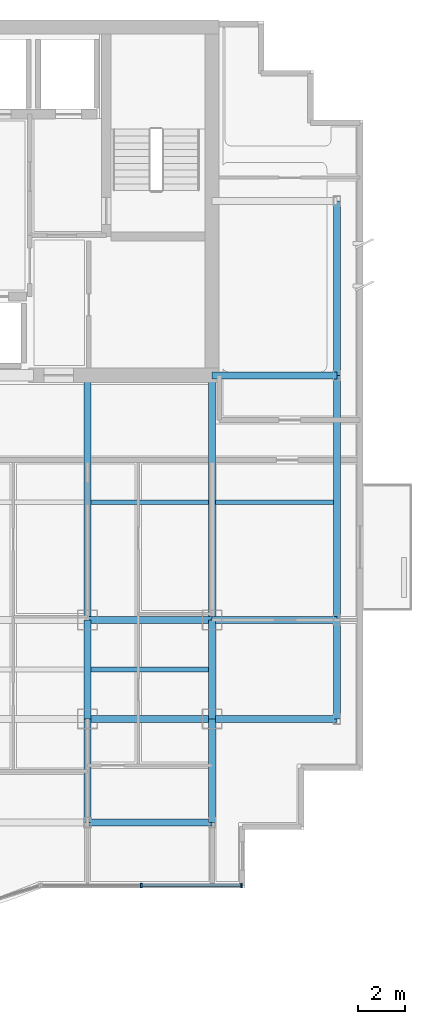
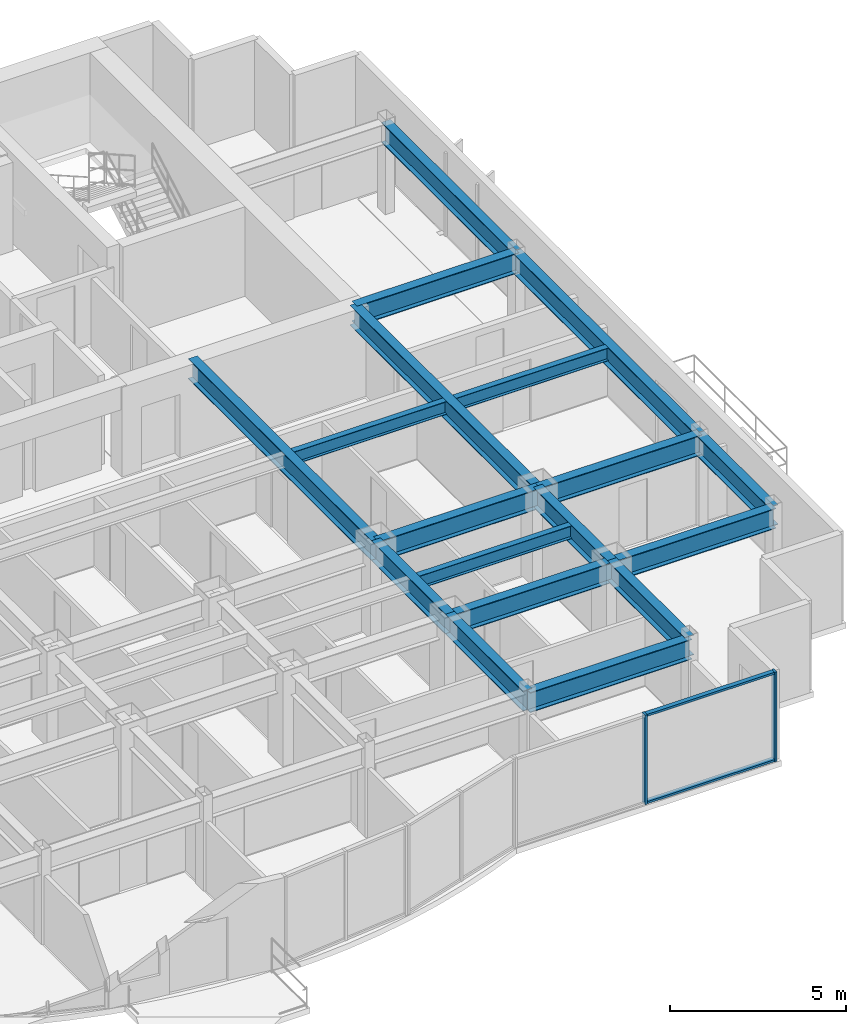
# One storey, part 4 of 11: 18 beams, 4 members, 1 element without a shape of its own.
"""IFC4 building model written with IfcOpenShell, lengths in metres."""

from ifc_helpers import new_model, si_unit, direction, frame, origin, origin_2d, place, context, subcontext, project, spatial, rectangle, i_section, extrude, source, transform, mapped, material, layer, layer_set, material_profile, profile_set, type_object, element, aggregate, save


model = new_model("IFC4")

# Units and contexts
model_context = context("Model", 3, precision=1e-05, world=origin(), true_north=direction((0.0, 1.0)))
body_context = subcontext(model_context, "Body", "Model", "MODEL_VIEW")
ifc_project = project(units=[si_unit("LENGTHUNIT", "METRE"), si_unit("AREAUNIT", "SQUARE_METRE"), si_unit("VOLUMEUNIT", "CUBIC_METRE"), si_unit("PLANEANGLEUNIT", "RADIAN"), si_unit("MASSUNIT", "GRAM", prefix="KILO")], contexts=[model_context])

# Site, building, storey
site_placement = place(None, origin())
site = spatial("IfcSite", under=ifc_project, at=site_placement, CompositionType="ELEMENT")
building_placement = place(site_placement, origin())
building = spatial("IfcBuilding", under=site, at=building_placement, Name="Qianlan Lanfeng Residences", CompositionType="ELEMENT")
storey_placement = place(building_placement, frame((0.0, 0.0, 168.89990234375)))
storey = spatial("IfcBuildingStorey", under=building, at=storey_placement, Name="L46", CompositionType="ELEMENT", Elevation=168.89990234375)

# Beams
ifc_material_1 = material(Name="Steel SN490B", Category="steel")
ifc_material_profile_1 = material_profile(ifc_material_1, i_section(OverallWidth=0.300048828125, OverallDepth=0.699951171875, WebThickness=0.012939453125, FlangeThickness=0.02392578125, at=origin_2d()), Name="H 700x300x13x24")
ifc_profile_set_1 = profile_set([ifc_material_profile_1], Name="Steel SN490B")
beam_type_1 = type_object("IfcBeamType", Name="G-750", PredefinedType="BEAM", material=ifc_profile_set_1)
beam_1_placement = place(storey_placement, frame((37.10009765625, 10.60009765625, 2.75), z_axis=(1.0, 0.0, 0.0), x_axis=(0.0, 1.0, 0.0)))
element("IfcBeam", 1, at=beam_1_placement, inside=storey, type_object=beam_type_1, Name="Structural beam G-750", PredefinedType="BEAM", context=body_context, shape_type="SweptSolid", body=[
    extrude(i_section(OverallWidth=0.300048828125, OverallDepth=0.699951171875, WebThickness=0.012939453125, FlangeThickness=0.02392578125, at=origin_2d()), origin(), (0.0, 0.0, 1.0), 5.2998046875),
])
beam_2_placement = place(storey_placement, frame((42.39990234375, 10.60009765625, 2.75), z_axis=(1.0, 0.0, 0.0), x_axis=(0.0, 1.0, 0.0)))
element("IfcBeam", 2, at=beam_2_placement, inside=storey, type_object=beam_type_1, Name="Structural beam G-750", PredefinedType="BEAM", context=body_context, shape_type="SweptSolid", body=[
    extrude(i_section(OverallWidth=0.300048828125, OverallDepth=0.699951171875, WebThickness=0.012939453125, FlangeThickness=0.02392578125, at=origin_2d()), origin(), (0.0, 0.0, 1.0), 5.300048828125),
])
beam_3_placement = place(storey_placement, frame((37.10009765625, 14.800048828125, 2.75), z_axis=(1.0, 0.0, 0.0), x_axis=(0.0, 1.0, 0.0)))
element("IfcBeam", 3, at=beam_3_placement, inside=storey, type_object=beam_type_1, Name="Structural beam G-750", PredefinedType="BEAM", context=body_context, shape_type="SweptSolid", body=[
    extrude(i_section(OverallWidth=0.300048828125, OverallDepth=0.699951171875, WebThickness=0.012939453125, FlangeThickness=0.02392578125, at=origin_2d()), origin(), (0.0, 0.0, 1.0), 5.2998046875),
])
for number, where, z_axis, x_axis, name in (
    (4, (42.39990234375, 14.800048828125, 2.75), (1.0, 0.0, 0.0), (0.0, 1.0, 0.0), "Structural beam G-750"),
    (5, (42.39990234375, 25.199951171875, 2.75), (1.0, 0.0, 0.0), (0.0, 1.0, 0.0), "Structural beam G-750"),
):
    element("IfcBeam", number, at=place(storey_placement, frame(where, z_axis=z_axis, x_axis=x_axis)), inside=storey, type_object=beam_type_1, Name=name, PredefinedType="BEAM", context=body_context, shape_type="SweptSolid", body=[
        extrude(i_section(OverallWidth=0.300048828125, OverallDepth=0.699951171875, WebThickness=0.012939453125, FlangeThickness=0.02392578125, at=origin_2d()), origin(), (0.0, 0.0, 1.0), 5.300048828125),
    ])
beam_4_placement = place(storey_placement, frame((37.10009765625, 6.199951171875, 2.75), z_axis=(0.0, 1.0, 0.0), x_axis=(-1.0, 0.0, 0.0)))
element("IfcBeam", 6, at=beam_4_placement, inside=storey, type_object=beam_type_1, Name="Structural beam G-750", PredefinedType="BEAM", context=body_context, shape_type="SweptSolid", body=[
    extrude(i_section(OverallWidth=0.300048828125, OverallDepth=0.699951171875, WebThickness=0.012939453125, FlangeThickness=0.02392578125, at=origin_2d()), origin(), (0.0, 0.0, 1.0), 4.400146484375),
])
beam_5_placement = place(storey_placement, frame((37.10009765625, 10.60009765625, 2.75), z_axis=(0.0, 1.0, 0.0), x_axis=(-1.0, 0.0, 0.0)))
element("IfcBeam", 7, at=beam_5_placement, inside=storey, type_object=beam_type_1, Name="Structural beam G-750", PredefinedType="BEAM", context=body_context, shape_type="SweptSolid", body=[
    extrude(i_section(OverallWidth=0.300048828125, OverallDepth=0.699951171875, WebThickness=0.012939453125, FlangeThickness=0.02392578125, at=origin_2d()), origin(), (0.0, 0.0, 1.0), 4.199951171875),
])
beam_6_placement = place(storey_placement, frame((37.10009765625, 14.800048828125, 2.75), z_axis=(0.0, 1.0, 0.0), x_axis=(-1.0, 0.0, 0.0)))
element("IfcBeam", 8, at=beam_6_placement, inside=storey, type_object=beam_type_1, Name="Structural beam G-750", PredefinedType="BEAM", context=body_context, shape_type="SweptSolid", body=[
    extrude(i_section(OverallWidth=0.300048828125, OverallDepth=0.699951171875, WebThickness=0.012939453125, FlangeThickness=0.02392578125, at=origin_2d()), origin(), (0.0, 0.0, 1.0), 10.39990234375),
])
beam_7_placement = place(storey_placement, frame((42.39990234375, 6.199951171875, 2.75), z_axis=(0.0, 1.0, 0.0), x_axis=(-1.0, 0.0, 0.0)))
element("IfcBeam", 9, at=beam_7_placement, inside=storey, type_object=beam_type_1, Name="Structural beam G-750", PredefinedType="BEAM", context=body_context, shape_type="SweptSolid", body=[
    extrude(i_section(OverallWidth=0.300048828125, OverallDepth=0.699951171875, WebThickness=0.012939453125, FlangeThickness=0.02392578125, at=origin_2d()), origin(), (0.0, 0.0, 1.0), 4.400146484375),
])
beam_8_placement = place(storey_placement, frame((42.39990234375, 10.60009765625, 2.75), z_axis=(0.0, 1.0, 0.0), x_axis=(-1.0, 0.0, 0.0)))
element("IfcBeam", 10, at=beam_8_placement, inside=storey, type_object=beam_type_1, Name="Structural beam G-750", PredefinedType="BEAM", context=body_context, shape_type="SweptSolid", body=[
    extrude(i_section(OverallWidth=0.300048828125, OverallDepth=0.699951171875, WebThickness=0.012939453125, FlangeThickness=0.02392578125, at=origin_2d()), origin(), (0.0, 0.0, 1.0), 4.199951171875),
])
beam_9_placement = place(storey_placement, frame((42.39990234375, 14.800048828125, 2.75), z_axis=(0.0, 1.0, 0.0), x_axis=(-1.0, 0.0, 0.0)))
element("IfcBeam", 11, at=beam_9_placement, inside=storey, type_object=beam_type_1, Name="Structural beam G-750", PredefinedType="BEAM", context=body_context, shape_type="SweptSolid", body=[
    extrude(i_section(OverallWidth=0.300048828125, OverallDepth=0.699951171875, WebThickness=0.012939453125, FlangeThickness=0.02392578125, at=origin_2d()), origin(), (0.0, 0.0, 1.0), 10.39990234375),
])
ifc_material_profile_2 = material_profile(ifc_material_1, i_section(OverallWidth=0.199951171875, OverallDepth=0.449951171875, WebThickness=0.009033203125, FlangeThickness=0.013916015625, at=origin_2d()), Name="H 450x200x9x14")
ifc_profile_set_2 = profile_set([ifc_material_profile_2], Name="Steel SN490B")
beam_type_2 = type_object("IfcBeamType", Name="J-450", PredefinedType="JOIST", material=ifc_profile_set_2)
for number, where, z_axis, x_axis, name in (
    (12, (37.25, 12.699951171875, 2.875), (1.0, 0.0, 0.0), (0.0, 1.0, 0.0), "Structural beam J-450"),
    (13, (37.25, 19.800048828125, 2.875), (1.0, 0.0, 0.0), (0.0, 1.0, 0.0), "Structural beam J-450"),
    (14, (42.550048828125, 19.800048828125, 2.875), (1.0, 0.0, 0.0), (0.0, 1.0, 0.0), "Structural beam J-450"),
):
    element("IfcBeam", number, at=place(storey_placement, frame(where, z_axis=z_axis, x_axis=x_axis)), inside=storey, type_object=beam_type_2, Name=name, PredefinedType="JOIST", context=body_context, shape_type="SweptSolid", body=[
        extrude(i_section(OverallWidth=0.199951171875, OverallDepth=0.449951171875, WebThickness=0.009033203125, FlangeThickness=0.013916015625, at=origin_2d()), origin(), (0.0, 0.0, 1.0), 5.0),
    ])
ifc_material_profile_3 = material_profile(ifc_material_1, i_section(OverallWidth=0.300048828125, OverallDepth=0.699951171875, WebThickness=0.012939453125, FlangeThickness=0.02392578125, at=origin_2d()), Name="H 700x300x13x24")
ifc_profile_set_3 = profile_set([ifc_material_profile_3], Name="Steel SN490B")
beam_type_3 = type_object("IfcBeamType", Name="SG-750", PredefinedType="SPANDREL", material=ifc_profile_set_3)
beam_10_placement = place(storey_placement, frame((37.10009765625, 6.199951171875, 2.739990234375), z_axis=(1.0, 0.0, 0.0), x_axis=(0.0, 1.0, 0.0)))
element("IfcBeam", 15, at=beam_10_placement, inside=storey, type_object=beam_type_3, Name="Structural beam SG-750", PredefinedType="SPANDREL", context=body_context, shape_type="SweptSolid", body=[
    extrude(i_section(OverallWidth=0.300048828125, OverallDepth=0.699951171875, WebThickness=0.012939453125, FlangeThickness=0.02392578125, at=origin_2d()), origin(), (0.0, 0.0, 1.0), 5.2998046875),
])
beam_11_placement = place(storey_placement, frame((47.699951171875, 10.60009765625, 2.739990234375), z_axis=(0.0, 1.0, 0.0), x_axis=(-1.0, 0.0, 0.0)))
element("IfcBeam", 16, at=beam_11_placement, inside=storey, type_object=beam_type_3, Name="Structural beam SG-750", PredefinedType="SPANDREL", context=body_context, shape_type="SweptSolid", body=[
    extrude(i_section(OverallWidth=0.300048828125, OverallDepth=0.699951171875, WebThickness=0.012939453125, FlangeThickness=0.02392578125, at=origin_2d()), origin(), (0.0, 0.0, 1.0), 4.199951171875),
])
beam_12_placement = place(storey_placement, frame((47.699951171875, 14.800048828125, 2.739990234375), z_axis=(0.0, 1.0, 0.0), x_axis=(-1.0, 0.0, 0.0)))
element("IfcBeam", 17, at=beam_12_placement, inside=storey, type_object=beam_type_3, Name="Structural beam SG-750", PredefinedType="SPANDREL", context=body_context, shape_type="SweptSolid", body=[
    extrude(i_section(OverallWidth=0.300048828125, OverallDepth=0.699951171875, WebThickness=0.012939453125, FlangeThickness=0.02392578125, at=origin_2d()), origin(), (0.0, 0.0, 1.0), 10.39990234375),
])
beam_13_placement = place(storey_placement, frame((47.699951171875, 25.199951171875, 2.739990234375), z_axis=(0.0, 1.0, 0.0), x_axis=(-1.0, 0.0, 0.0)))
element("IfcBeam", 18, at=beam_13_placement, inside=storey, type_object=beam_type_3, Name="Structural beam SG-750", PredefinedType="SPANDREL", context=body_context, shape_type="SweptSolid", body=[
    extrude(i_section(OverallWidth=0.300048828125, OverallDepth=0.699951171875, WebThickness=0.012939453125, FlangeThickness=0.02392578125, at=origin_2d()), origin(), (0.0, 0.0, 1.0), 7.400146484375),
])

# Curtain wall, members
ifc_material_2 = material(Name="Anodised Bronze Aluminium 6063-T6", Category="aluminium")
ifc_layer = layer(ifc_material_2, 0.219970703125)
ifc_layer_set = layer_set([ifc_layer], Name="Anodised Bronze Aluminium 6063-T6")
curtain_wall_type = type_object("IfcCurtainWallType", Name="CW-04", PredefinedType="NOTDEFINED", material=ifc_layer_set)
curtain_wall_placement = place(storey_placement, origin())
curtain_wall = element("IfcCurtainWall", 19, at=curtain_wall_placement, inside=storey, type_object=curtain_wall_type, Name="L46 Unitised Curtain Wall CWR-L46-05 (CW-04)", PredefinedType="NOTDEFINED")
ifc_material_profile_4 = material_profile(ifc_material_2, rectangle(XDim=0.074951171875, YDim=0.14990234375, at=origin_2d()), Name="ALU TRANSOM 75x150")
ifc_profile_set_4 = profile_set([ifc_material_profile_4], Name="Anodised Bronze Aluminium 6063-T6")
member_type_1 = type_object("IfcMemberType", Name="CWT-150", PredefinedType="USERDEFINED", material=ifc_profile_set_4)
shared_shape_1 = source(origin(), body_context, "Body", "SweptSolid", [
    extrude(rectangle(XDim=0.074951171875, YDim=0.14990234375, at=origin_2d()), origin(), (0.0, 0.0, 1.0), 4.178955078125),
])
member_1_placement = place(storey_placement, frame((39.426025390625, 3.52001953125, 0.03759765625), z_axis=(1.0, 0.0, 0.0), x_axis=(0.0, 0.0, 1.0)))
member_1 = element("IfcMember", 20, at=member_1_placement, type_object=member_type_1, Name="CWR-L46-05 Transom 2-BOT", ObjectType="TRANSOM", PredefinedType="USERDEFINED", context=body_context, shape_type="MappedRepresentation", body=[
    mapped(shared_shape_1, transform((0.0, 0.0, 0.0), scale=1.0)),
])
member_2_placement = place(storey_placement, frame((39.426025390625, 3.52001953125, 3.0625), z_axis=(1.0, 0.0, 0.0), x_axis=(0.0, 0.0, 1.0)))
member_2 = element("IfcMember", 21, at=member_2_placement, type_object=member_type_1, Name="CWR-L46-05 Transom 2-TOP", ObjectType="TRANSOM", PredefinedType="USERDEFINED", context=body_context, shape_type="MappedRepresentation", body=[
    mapped(shared_shape_1, transform((0.0, 0.0, 0.0), scale=1.0)),
])
ifc_material_profile_5 = material_profile(ifc_material_2, rectangle(XDim=0.074951171875, YDim=0.179931640625, at=origin_2d()), Name="ALU MULLION 75x180")
ifc_profile_set_5 = profile_set([ifc_material_profile_5], Name="Anodised Bronze Aluminium 6063-T6")
member_type_2 = type_object("IfcMemberType", Name="CWM-180", PredefinedType="MULLION", material=ifc_profile_set_5)
shared_shape_2 = source(origin(), body_context, "Body", "SweptSolid", [
    extrude(rectangle(XDim=0.074951171875, YDim=0.179931640625, at=origin_2d()), origin(), (0.0, 0.0, 1.0), 3.10009765625),
])
member_3_placement = place(storey_placement, frame((39.388427734375, 3.52001953125, 0.0), z_axis=(0.0, 0.0, 1.0), x_axis=(1.0, 0.0, 0.0)))
member_3 = element("IfcMember", 22, at=member_3_placement, type_object=member_type_2, Name="CWR-L46-05 Mullion 2", PredefinedType="MULLION", context=body_context, shape_type="MappedRepresentation", body=[
    mapped(shared_shape_2, transform((0.0, 0.0, 0.0), scale=1.0)),
])
member_4_placement = place(storey_placement, frame((43.642578125, 3.52001953125, 0.0), z_axis=(0.0, 0.0, 1.0), x_axis=(1.0, 0.0, 0.0)))
member_4 = element("IfcMember", 23, at=member_4_placement, type_object=member_type_2, Name="CWR-L46-05 Mullion 3", PredefinedType="MULLION", context=body_context, shape_type="MappedRepresentation", body=[
    mapped(shared_shape_2, transform((0.0, 0.0, 0.0), scale=1.0)),
])
aggregate(curtain_wall, [member_3, member_4, member_1, member_2])

save(model, "model.ifc")
